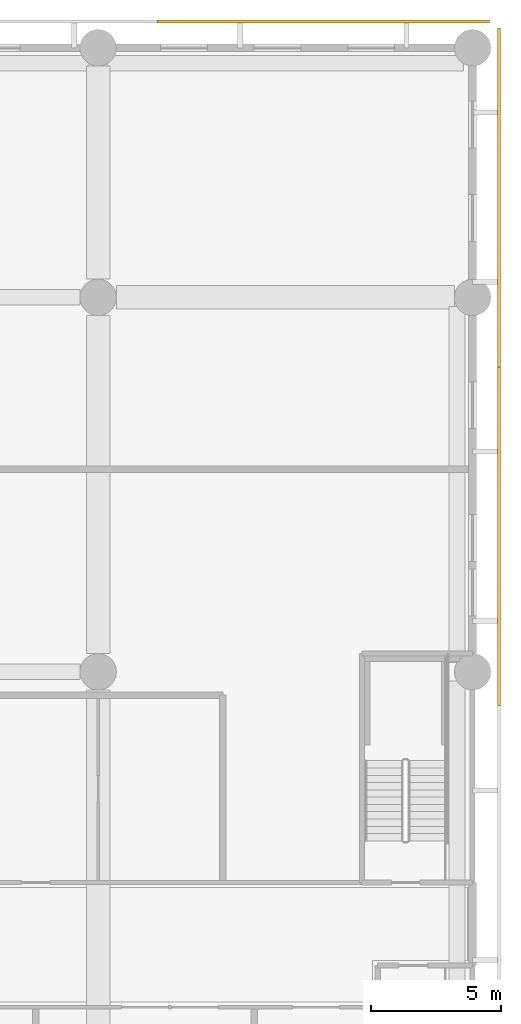
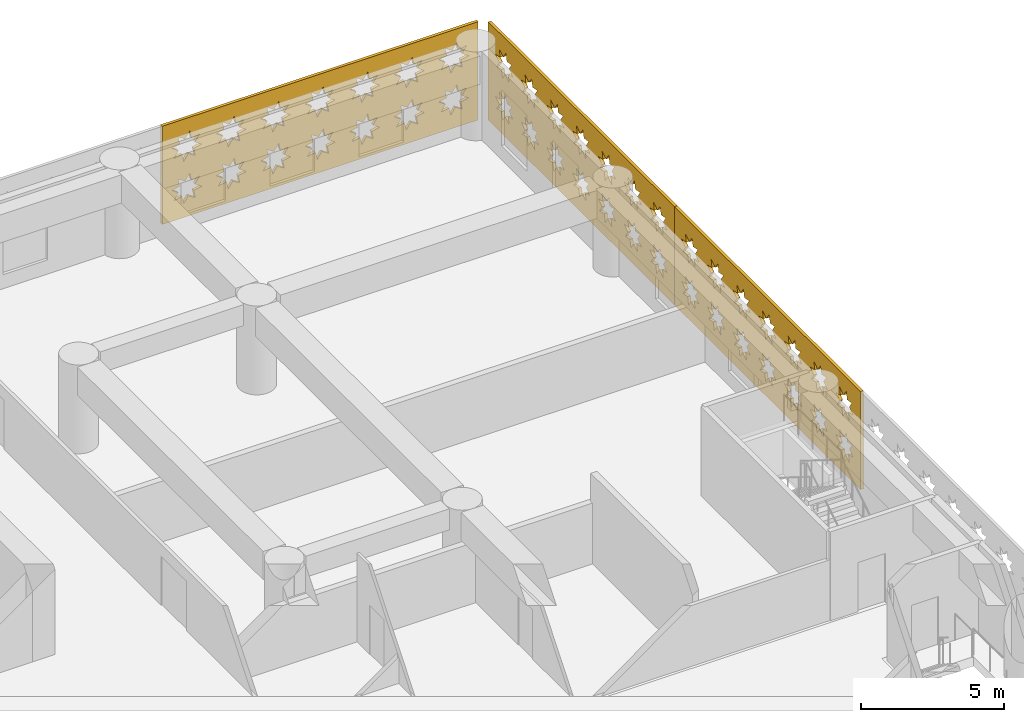
# One storey, part 24 of 24: 3 coverings.
"""IFC4 building model written with IfcOpenShell, lengths in metres."""

from ifc_helpers import new_model, si_unit, direction, frame, origin, place, context, subcontext, project, spatial, polyline, outline, extrude, material, layer, layer_set, type_object, element, save


model = new_model("IFC4")

# Units and contexts
model_context = context("Model", 3, precision=1e-05, world=origin(), true_north=direction((0.0, 1.0)))
body_context = subcontext(model_context, "Body", "Model", "MODEL_VIEW")
ifc_project = project(units=[si_unit("LENGTHUNIT", "METRE"), si_unit("AREAUNIT", "SQUARE_METRE"), si_unit("VOLUMEUNIT", "CUBIC_METRE"), si_unit("PLANEANGLEUNIT", "RADIAN"), si_unit("MASSUNIT", "GRAM", prefix="KILO")], contexts=[model_context])

# Site, building, storey
site_placement = place(None, origin())
site = spatial("IfcSite", under=ifc_project, at=site_placement, CompositionType="ELEMENT")
building_placement = place(site_placement, origin())
building = spatial("IfcBuilding", under=site, at=building_placement, Name="Saffron Iwan Residences", CompositionType="ELEMENT")
storey_placement = place(building_placement, frame((0.0, 0.0, 13.199951171875)))
storey = spatial("IfcBuildingStorey", under=building, at=storey_placement, Name="L02", CompositionType="ELEMENT", Elevation=13.199951171875)

# Coverings
ifc_material = material(Name="Terracotta screen, precast concrete C40/50", Category="masonry")
ifc_layer = layer(ifc_material, 0.1201171875)
ifc_layer_set = layer_set([ifc_layer], Name="Terracotta screen, precast concrete C40/50")
covering_type = type_object("IfcCoveringType", Name="PODIUM SCREEN GIRIH", PredefinedType="CLADDING", material=ifc_layer_set)
covering_1_placement = place(storey_placement, frame((101.75, 61.0966796875, -0.39990234375), z_axis=(1.0, 0.0, 0.0), x_axis=(0.0, 1.0, 0.0)))
element("IfcCovering", 1, at=covering_1_placement, inside=storey, type_object=covering_type, Name="SCREEN girih terracotta L02 F1.4", PredefinedType="CLADDING", context=body_context, shape_type="SweptSolid", body=[
    extrude(outline(polyline([(0.0, 0.0), (13.03662109375, 0.0), (13.03662109375, 4.199951171875), (0.0, 4.199951171875), (0.0, 0.0)]), holes=[polyline([(1.726318359375, 1.321044921875), (1.40087890625, 1.388916015625), (1.462890625, 1.715576171875), (1.184814453125, 1.533447265625), (0.997314453125, 1.80810546875), (0.929443359375, 1.482666015625), (0.602783203125, 1.54443359375), (0.784912109375, 1.266357421875), (0.51025390625, 1.0791015625), (0.835693359375, 1.010986328125), (0.77392578125, 0.6845703125), (1.052001953125, 0.866455078125), (1.2392578125, 0.591796875), (1.30712890625, 0.917236328125), (1.6337890625, 0.85546875), (1.451904296875, 1.1337890625), (1.726318359375, 1.321044921875)]), polyline([(1.726318359375, 3.12109375), (1.40087890625, 3.18896484375), (1.462890625, 3.515380859375), (1.184814453125, 3.33349609375), (0.997314453125, 3.608154296875), (0.929443359375, 3.28271484375), (0.602783203125, 3.344482421875), (0.784912109375, 3.06640625), (0.51025390625, 2.87890625), (0.835693359375, 2.81103515625), (0.77392578125, 2.484619140625), (1.052001953125, 2.66650390625), (1.2392578125, 2.391845703125), (1.30712890625, 2.71728515625), (1.6337890625, 2.655517578125), (1.451904296875, 2.93359375), (1.726318359375, 3.12109375)]), polyline([(3.5263671875, 1.321044921875), (3.200927734375, 1.388916015625), (3.2626953125, 1.715576171875), (2.984619140625, 1.533447265625), (2.79736328125, 1.80810546875), (2.7294921875, 1.482666015625), (2.40283203125, 1.54443359375), (2.5849609375, 1.266357421875), (2.310302734375, 1.0791015625), (2.635498046875, 1.010986328125), (2.573974609375, 0.6845703125), (2.85205078125, 0.866455078125), (3.039306640625, 0.591796875), (3.107177734375, 0.917236328125), (3.433837890625, 0.85546875), (3.251708984375, 1.1337890625), (3.5263671875, 1.321044921875)]), polyline([(3.5263671875, 3.12109375), (3.200927734375, 3.18896484375), (3.2626953125, 3.515380859375), (2.984619140625, 3.33349609375), (2.79736328125, 3.608154296875), (2.7294921875, 3.28271484375), (2.40283203125, 3.344482421875), (2.5849609375, 3.06640625), (2.310302734375, 2.87890625), (2.635498046875, 2.81103515625), (2.573974609375, 2.484619140625), (2.85205078125, 2.66650390625), (3.039306640625, 2.391845703125), (3.107177734375, 2.71728515625), (3.433837890625, 2.655517578125), (3.251708984375, 2.93359375), (3.5263671875, 3.12109375)]), polyline([(5.326416015625, 1.321044921875), (5.0009765625, 1.388916015625), (5.062744140625, 1.715576171875), (4.78466796875, 1.533447265625), (4.597412109375, 1.80810546875), (4.529296875, 1.482666015625), (4.202880859375, 1.54443359375), (4.385009765625, 1.266357421875), (4.110107421875, 1.0791015625), (4.435546875, 1.010986328125), (4.373779296875, 0.6845703125), (4.652099609375, 0.866455078125), (4.83935546875, 0.591796875), (4.9072265625, 0.917236328125), (5.23388671875, 0.85546875), (5.0517578125, 1.1337890625), (5.326416015625, 1.321044921875)]), polyline([(5.326416015625, 3.12109375), (5.0009765625, 3.18896484375), (5.062744140625, 3.515380859375), (4.78466796875, 3.33349609375), (4.597412109375, 3.608154296875), (4.529296875, 3.28271484375), (4.202880859375, 3.344482421875), (4.385009765625, 3.06640625), (4.110107421875, 2.87890625), (4.435546875, 2.81103515625), (4.373779296875, 2.484619140625), (4.652099609375, 2.66650390625), (4.83935546875, 2.391845703125), (4.9072265625, 2.71728515625), (5.23388671875, 2.655517578125), (5.0517578125, 2.93359375), (5.326416015625, 3.12109375)]), polyline([(7.12646484375, 1.321044921875), (6.801025390625, 1.388916015625), (6.86279296875, 1.715576171875), (6.584716796875, 1.533447265625), (6.3974609375, 1.80810546875), (6.329345703125, 1.482666015625), (6.002685546875, 1.54443359375), (6.184814453125, 1.266357421875), (5.91015625, 1.0791015625), (6.235595703125, 1.010986328125), (6.173828125, 0.6845703125), (6.451904296875, 0.866455078125), (6.639404296875, 0.591796875), (6.707275390625, 0.917236328125), (7.03369140625, 0.85546875), (6.851806640625, 1.1337890625), (7.12646484375, 1.321044921875)]), polyline([(7.12646484375, 3.12109375), (6.801025390625, 3.18896484375), (6.86279296875, 3.515380859375), (6.584716796875, 3.33349609375), (6.3974609375, 3.608154296875), (6.329345703125, 3.28271484375), (6.002685546875, 3.344482421875), (6.184814453125, 3.06640625), (5.91015625, 2.87890625), (6.235595703125, 2.81103515625), (6.173828125, 2.484619140625), (6.451904296875, 2.66650390625), (6.639404296875, 2.391845703125), (6.707275390625, 2.71728515625), (7.03369140625, 2.655517578125), (6.851806640625, 2.93359375), (7.12646484375, 3.12109375)]), polyline([(8.926513671875, 1.321044921875), (8.60107421875, 1.388916015625), (8.662841796875, 1.715576171875), (8.384765625, 1.533447265625), (8.197509765625, 1.80810546875), (8.12939453125, 1.482666015625), (7.802734375, 1.54443359375), (7.98486328125, 1.266357421875), (7.710205078125, 1.0791015625), (8.03564453125, 1.010986328125), (7.973876953125, 0.6845703125), (8.251953125, 0.866455078125), (8.439208984375, 0.591796875), (8.507080078125, 0.917236328125), (8.833740234375, 0.85546875), (8.65185546875, 1.1337890625), (8.926513671875, 1.321044921875)]), polyline([(8.926513671875, 3.12109375), (8.60107421875, 3.18896484375), (8.662841796875, 3.515380859375), (8.384765625, 3.33349609375), (8.197509765625, 3.608154296875), (8.12939453125, 3.28271484375), (7.802734375, 3.344482421875), (7.98486328125, 3.06640625), (7.710205078125, 2.87890625), (8.03564453125, 2.81103515625), (7.973876953125, 2.484619140625), (8.251953125, 2.66650390625), (8.439208984375, 2.391845703125), (8.507080078125, 2.71728515625), (8.833740234375, 2.655517578125), (8.65185546875, 2.93359375), (8.926513671875, 3.12109375)]), polyline([(10.726318359375, 1.321044921875), (10.40087890625, 1.388916015625), (10.462890625, 1.715576171875), (10.184814453125, 1.533447265625), (9.997314453125, 1.80810546875), (9.929443359375, 1.482666015625), (9.602783203125, 1.54443359375), (9.784912109375, 1.266357421875), (9.51025390625, 1.0791015625), (9.835693359375, 1.010986328125), (9.77392578125, 0.6845703125), (10.052001953125, 0.866455078125), (10.2392578125, 0.591796875), (10.30712890625, 0.917236328125), (10.6337890625, 0.85546875), (10.451904296875, 1.1337890625), (10.726318359375, 1.321044921875)]), polyline([(10.726318359375, 3.12109375), (10.40087890625, 3.18896484375), (10.462890625, 3.515380859375), (10.184814453125, 3.33349609375), (9.997314453125, 3.608154296875), (9.929443359375, 3.28271484375), (9.602783203125, 3.344482421875), (9.784912109375, 3.06640625), (9.51025390625, 2.87890625), (9.835693359375, 2.81103515625), (9.77392578125, 2.484619140625), (10.052001953125, 2.66650390625), (10.2392578125, 2.391845703125), (10.30712890625, 2.71728515625), (10.6337890625, 2.655517578125), (10.451904296875, 2.93359375), (10.726318359375, 3.12109375)]), polyline([(12.5263671875, 1.321044921875), (12.200927734375, 1.388916015625), (12.2626953125, 1.715576171875), (11.984619140625, 1.533447265625), (11.79736328125, 1.80810546875), (11.7294921875, 1.482666015625), (11.40283203125, 1.54443359375), (11.5849609375, 1.266357421875), (11.310302734375, 1.0791015625), (11.635498046875, 1.010986328125), (11.573974609375, 0.6845703125), (11.85205078125, 0.866455078125), (12.039306640625, 0.591796875), (12.107177734375, 0.917236328125), (12.433837890625, 0.85546875), (12.251708984375, 1.1337890625), (12.5263671875, 1.321044921875)]), polyline([(12.5263671875, 3.12109375), (12.200927734375, 3.18896484375), (12.2626953125, 3.515380859375), (11.984619140625, 3.33349609375), (11.79736328125, 3.608154296875), (11.7294921875, 3.28271484375), (11.40283203125, 3.344482421875), (11.5849609375, 3.06640625), (11.310302734375, 2.87890625), (11.635498046875, 2.81103515625), (11.573974609375, 2.484619140625), (11.85205078125, 2.66650390625), (12.039306640625, 2.391845703125), (12.107177734375, 2.71728515625), (12.433837890625, 2.655517578125), (12.251708984375, 2.93359375), (12.5263671875, 3.12109375)])]), origin(), (0.0, 0.0, 1.0), 0.1201171875),
])
covering_2_placement = place(storey_placement, frame((101.75, 74.13330078125, -0.39990234375), z_axis=(1.0, 0.0, 0.0), x_axis=(0.0, 1.0, 0.0)))
element("IfcCovering", 2, at=covering_2_placement, inside=storey, type_object=covering_type, Name="SCREEN girih terracotta L02 F1.5", PredefinedType="CLADDING", context=body_context, shape_type="SweptSolid", body=[
    extrude(outline(polyline([(0.0, 0.0), (13.03662109375, 0.0), (13.03662109375, 4.199951171875), (0.0, 4.199951171875), (0.0, 0.0)]), holes=[polyline([(1.726318359375, 1.321044921875), (1.40087890625, 1.388916015625), (1.462890625, 1.715576171875), (1.184814453125, 1.533447265625), (0.997314453125, 1.80810546875), (0.929443359375, 1.482666015625), (0.602783203125, 1.54443359375), (0.784912109375, 1.266357421875), (0.51025390625, 1.0791015625), (0.835693359375, 1.010986328125), (0.77392578125, 0.6845703125), (1.052001953125, 0.866455078125), (1.2392578125, 0.591796875), (1.30712890625, 0.917236328125), (1.6337890625, 0.85546875), (1.451904296875, 1.1337890625), (1.726318359375, 1.321044921875)]), polyline([(1.726318359375, 3.12109375), (1.40087890625, 3.18896484375), (1.462890625, 3.515380859375), (1.184814453125, 3.33349609375), (0.997314453125, 3.608154296875), (0.929443359375, 3.28271484375), (0.602783203125, 3.344482421875), (0.784912109375, 3.06640625), (0.51025390625, 2.87890625), (0.835693359375, 2.81103515625), (0.77392578125, 2.484619140625), (1.052001953125, 2.66650390625), (1.2392578125, 2.391845703125), (1.30712890625, 2.71728515625), (1.6337890625, 2.655517578125), (1.451904296875, 2.93359375), (1.726318359375, 3.12109375)]), polyline([(3.5263671875, 1.321044921875), (3.200927734375, 1.388916015625), (3.2626953125, 1.715576171875), (2.984619140625, 1.533447265625), (2.79736328125, 1.80810546875), (2.7294921875, 1.482666015625), (2.40283203125, 1.54443359375), (2.5849609375, 1.266357421875), (2.310302734375, 1.0791015625), (2.635498046875, 1.010986328125), (2.573974609375, 0.6845703125), (2.85205078125, 0.866455078125), (3.039306640625, 0.591796875), (3.107177734375, 0.917236328125), (3.433837890625, 0.85546875), (3.251708984375, 1.1337890625), (3.5263671875, 1.321044921875)]), polyline([(3.5263671875, 3.12109375), (3.200927734375, 3.18896484375), (3.2626953125, 3.515380859375), (2.984619140625, 3.33349609375), (2.79736328125, 3.608154296875), (2.7294921875, 3.28271484375), (2.40283203125, 3.344482421875), (2.5849609375, 3.06640625), (2.310302734375, 2.87890625), (2.635498046875, 2.81103515625), (2.573974609375, 2.484619140625), (2.85205078125, 2.66650390625), (3.039306640625, 2.391845703125), (3.107177734375, 2.71728515625), (3.433837890625, 2.655517578125), (3.251708984375, 2.93359375), (3.5263671875, 3.12109375)]), polyline([(5.326416015625, 1.321044921875), (5.0009765625, 1.388916015625), (5.062744140625, 1.715576171875), (4.78466796875, 1.533447265625), (4.597412109375, 1.80810546875), (4.529296875, 1.482666015625), (4.202880859375, 1.54443359375), (4.385009765625, 1.266357421875), (4.110107421875, 1.0791015625), (4.435546875, 1.010986328125), (4.373779296875, 0.6845703125), (4.652099609375, 0.866455078125), (4.83935546875, 0.591796875), (4.9072265625, 0.917236328125), (5.23388671875, 0.85546875), (5.0517578125, 1.1337890625), (5.326416015625, 1.321044921875)]), polyline([(5.326416015625, 3.12109375), (5.0009765625, 3.18896484375), (5.062744140625, 3.515380859375), (4.78466796875, 3.33349609375), (4.597412109375, 3.608154296875), (4.529296875, 3.28271484375), (4.202880859375, 3.344482421875), (4.385009765625, 3.06640625), (4.110107421875, 2.87890625), (4.435546875, 2.81103515625), (4.373779296875, 2.484619140625), (4.652099609375, 2.66650390625), (4.83935546875, 2.391845703125), (4.9072265625, 2.71728515625), (5.23388671875, 2.655517578125), (5.0517578125, 2.93359375), (5.326416015625, 3.12109375)]), polyline([(7.12646484375, 1.321044921875), (6.801025390625, 1.388916015625), (6.86279296875, 1.715576171875), (6.584716796875, 1.533447265625), (6.3974609375, 1.80810546875), (6.329345703125, 1.482666015625), (6.002685546875, 1.54443359375), (6.184814453125, 1.266357421875), (5.91015625, 1.0791015625), (6.235595703125, 1.010986328125), (6.173828125, 0.6845703125), (6.451904296875, 0.866455078125), (6.639404296875, 0.591796875), (6.707275390625, 0.917236328125), (7.03369140625, 0.85546875), (6.851806640625, 1.1337890625), (7.12646484375, 1.321044921875)]), polyline([(7.12646484375, 3.12109375), (6.801025390625, 3.18896484375), (6.86279296875, 3.515380859375), (6.584716796875, 3.33349609375), (6.3974609375, 3.608154296875), (6.329345703125, 3.28271484375), (6.002685546875, 3.344482421875), (6.184814453125, 3.06640625), (5.91015625, 2.87890625), (6.235595703125, 2.81103515625), (6.173828125, 2.484619140625), (6.451904296875, 2.66650390625), (6.639404296875, 2.391845703125), (6.707275390625, 2.71728515625), (7.03369140625, 2.655517578125), (6.851806640625, 2.93359375), (7.12646484375, 3.12109375)]), polyline([(8.926513671875, 1.321044921875), (8.60107421875, 1.388916015625), (8.662841796875, 1.715576171875), (8.384765625, 1.533447265625), (8.197509765625, 1.80810546875), (8.12939453125, 1.482666015625), (7.802734375, 1.54443359375), (7.98486328125, 1.266357421875), (7.710205078125, 1.0791015625), (8.03564453125, 1.010986328125), (7.973876953125, 0.6845703125), (8.251953125, 0.866455078125), (8.439208984375, 0.591796875), (8.507080078125, 0.917236328125), (8.833740234375, 0.85546875), (8.65185546875, 1.1337890625), (8.926513671875, 1.321044921875)]), polyline([(8.926513671875, 3.12109375), (8.60107421875, 3.18896484375), (8.662841796875, 3.515380859375), (8.384765625, 3.33349609375), (8.197509765625, 3.608154296875), (8.12939453125, 3.28271484375), (7.802734375, 3.344482421875), (7.98486328125, 3.06640625), (7.710205078125, 2.87890625), (8.03564453125, 2.81103515625), (7.973876953125, 2.484619140625), (8.251953125, 2.66650390625), (8.439208984375, 2.391845703125), (8.507080078125, 2.71728515625), (8.833740234375, 2.655517578125), (8.65185546875, 2.93359375), (8.926513671875, 3.12109375)]), polyline([(10.726318359375, 1.321044921875), (10.40087890625, 1.388916015625), (10.462890625, 1.715576171875), (10.184814453125, 1.533447265625), (9.997314453125, 1.80810546875), (9.929443359375, 1.482666015625), (9.602783203125, 1.54443359375), (9.784912109375, 1.266357421875), (9.51025390625, 1.0791015625), (9.835693359375, 1.010986328125), (9.77392578125, 0.6845703125), (10.052001953125, 0.866455078125), (10.2392578125, 0.591796875), (10.30712890625, 0.917236328125), (10.6337890625, 0.85546875), (10.451904296875, 1.1337890625), (10.726318359375, 1.321044921875)]), polyline([(10.726318359375, 3.12109375), (10.40087890625, 3.18896484375), (10.462890625, 3.515380859375), (10.184814453125, 3.33349609375), (9.997314453125, 3.608154296875), (9.929443359375, 3.28271484375), (9.602783203125, 3.344482421875), (9.784912109375, 3.06640625), (9.51025390625, 2.87890625), (9.835693359375, 2.81103515625), (9.77392578125, 2.484619140625), (10.052001953125, 2.66650390625), (10.2392578125, 2.391845703125), (10.30712890625, 2.71728515625), (10.6337890625, 2.655517578125), (10.451904296875, 2.93359375), (10.726318359375, 3.12109375)]), polyline([(12.5263671875, 1.321044921875), (12.200927734375, 1.388916015625), (12.2626953125, 1.715576171875), (11.984619140625, 1.533447265625), (11.79736328125, 1.80810546875), (11.7294921875, 1.482666015625), (11.40283203125, 1.54443359375), (11.5849609375, 1.266357421875), (11.310302734375, 1.0791015625), (11.635498046875, 1.010986328125), (11.573974609375, 0.6845703125), (11.85205078125, 0.866455078125), (12.039306640625, 0.591796875), (12.107177734375, 0.917236328125), (12.433837890625, 0.85546875), (12.251708984375, 1.1337890625), (12.5263671875, 1.321044921875)]), polyline([(12.5263671875, 3.12109375), (12.200927734375, 3.18896484375), (12.2626953125, 3.515380859375), (11.984619140625, 3.33349609375), (11.79736328125, 3.608154296875), (11.7294921875, 3.28271484375), (11.40283203125, 3.344482421875), (11.5849609375, 3.06640625), (11.310302734375, 2.87890625), (11.635498046875, 2.81103515625), (11.573974609375, 2.484619140625), (11.85205078125, 2.66650390625), (12.039306640625, 2.391845703125), (12.107177734375, 2.71728515625), (12.433837890625, 2.655517578125), (12.251708984375, 2.93359375), (12.5263671875, 3.12109375)])]), origin(), (0.0, 0.0, 1.0), 0.1201171875),
])
covering_3_placement = place(storey_placement, frame((101.449951171875, 87.35009765625, -0.39990234375), z_axis=(0.0, 1.0, 0.0), x_axis=(-1.0, 0.0, 0.0)))
element("IfcCovering", 3, at=covering_3_placement, inside=storey, type_object=covering_type, Name="SCREEN girih terracotta L02 F2.0", PredefinedType="CLADDING", context=body_context, shape_type="SweptSolid", body=[
    extrude(outline(polyline([(0.0, 0.0), (12.777587890625, 0.0), (12.777587890625, 4.199951171875), (0.0, 4.199951171875), (0.0, 0.0)]), holes=[polyline([(1.5966796875, 1.321044921875), (1.271484375, 1.388916015625), (1.333251953125, 1.715576171875), (1.05517578125, 1.533447265625), (0.867919921875, 1.80810546875), (0.7998046875, 1.482666015625), (0.47314453125, 1.54443359375), (0.6552734375, 1.266357421875), (0.380615234375, 1.0791015625), (0.7060546875, 1.010986328125), (0.644287109375, 0.6845703125), (0.92236328125, 0.866455078125), (1.109619140625, 0.591796875), (1.177490234375, 0.917236328125), (1.50439453125, 0.85546875), (1.322265625, 1.1337890625), (1.5966796875, 1.321044921875)]), polyline([(1.5966796875, 3.12109375), (1.271484375, 3.18896484375), (1.333251953125, 3.515380859375), (1.05517578125, 3.33349609375), (0.867919921875, 3.608154296875), (0.7998046875, 3.28271484375), (0.47314453125, 3.344482421875), (0.6552734375, 3.06640625), (0.380615234375, 2.87890625), (0.7060546875, 2.81103515625), (0.644287109375, 2.484619140625), (0.92236328125, 2.66650390625), (1.109619140625, 2.391845703125), (1.177490234375, 2.71728515625), (1.50439453125, 2.655517578125), (1.322265625, 2.93359375), (1.5966796875, 3.12109375)]), polyline([(3.396728515625, 1.321044921875), (3.0712890625, 1.388916015625), (3.13330078125, 1.715576171875), (2.85498046875, 1.533447265625), (2.667724609375, 1.80810546875), (2.599853515625, 1.482666015625), (2.273193359375, 1.54443359375), (2.455322265625, 1.266357421875), (2.1806640625, 1.0791015625), (2.506103515625, 1.010986328125), (2.4443359375, 0.6845703125), (2.722412109375, 0.866455078125), (2.90966796875, 0.591796875), (2.9775390625, 0.917236328125), (3.30419921875, 0.85546875), (3.122314453125, 1.1337890625), (3.396728515625, 1.321044921875)]), polyline([(3.396728515625, 3.12109375), (3.0712890625, 3.18896484375), (3.13330078125, 3.515380859375), (2.85498046875, 3.33349609375), (2.667724609375, 3.608154296875), (2.599853515625, 3.28271484375), (2.273193359375, 3.344482421875), (2.455322265625, 3.06640625), (2.1806640625, 2.87890625), (2.506103515625, 2.81103515625), (2.4443359375, 2.484619140625), (2.722412109375, 2.66650390625), (2.90966796875, 2.391845703125), (2.9775390625, 2.71728515625), (3.30419921875, 2.655517578125), (3.122314453125, 2.93359375), (3.396728515625, 3.12109375)]), polyline([(5.19677734375, 1.321044921875), (4.871337890625, 1.388916015625), (4.93310546875, 1.715576171875), (4.655029296875, 1.533447265625), (4.4677734375, 1.80810546875), (4.39990234375, 1.482666015625), (4.0732421875, 1.54443359375), (4.25537109375, 1.266357421875), (3.980712890625, 1.0791015625), (4.30615234375, 1.010986328125), (4.244384765625, 0.6845703125), (4.5224609375, 0.866455078125), (4.709716796875, 0.591796875), (4.777587890625, 0.917236328125), (5.104248046875, 0.85546875), (4.922119140625, 1.1337890625), (5.19677734375, 1.321044921875)]), polyline([(5.19677734375, 3.12109375), (4.871337890625, 3.18896484375), (4.93310546875, 3.515380859375), (4.655029296875, 3.33349609375), (4.4677734375, 3.608154296875), (4.39990234375, 3.28271484375), (4.0732421875, 3.344482421875), (4.25537109375, 3.06640625), (3.980712890625, 2.87890625), (4.30615234375, 2.81103515625), (4.244384765625, 2.484619140625), (4.5224609375, 2.66650390625), (4.709716796875, 2.391845703125), (4.777587890625, 2.71728515625), (5.104248046875, 2.655517578125), (4.922119140625, 2.93359375), (5.19677734375, 3.12109375)]), polyline([(6.996826171875, 1.321044921875), (6.67138671875, 1.388916015625), (6.733154296875, 1.715576171875), (6.455078125, 1.533447265625), (6.267822265625, 1.80810546875), (6.199951171875, 1.482666015625), (5.873291015625, 1.54443359375), (6.055419921875, 1.266357421875), (5.78076171875, 1.0791015625), (6.106201171875, 1.010986328125), (6.044189453125, 0.6845703125), (6.322509765625, 0.866455078125), (6.509765625, 0.591796875), (6.57763671875, 0.917236328125), (6.904296875, 0.85546875), (6.72216796875, 1.1337890625), (6.996826171875, 1.321044921875)]), polyline([(6.996826171875, 3.12109375), (6.67138671875, 3.18896484375), (6.733154296875, 3.515380859375), (6.455078125, 3.33349609375), (6.267822265625, 3.608154296875), (6.199951171875, 3.28271484375), (5.873291015625, 3.344482421875), (6.055419921875, 3.06640625), (5.78076171875, 2.87890625), (6.106201171875, 2.81103515625), (6.044189453125, 2.484619140625), (6.322509765625, 2.66650390625), (6.509765625, 2.391845703125), (6.57763671875, 2.71728515625), (6.904296875, 2.655517578125), (6.72216796875, 2.93359375), (6.996826171875, 3.12109375)]), polyline([(8.796875, 1.321044921875), (8.471435546875, 1.388916015625), (8.533203125, 1.715576171875), (8.255126953125, 1.533447265625), (8.06787109375, 1.80810546875), (8.0, 1.482666015625), (7.673095703125, 1.54443359375), (7.855224609375, 1.266357421875), (7.580810546875, 1.0791015625), (7.906005859375, 1.010986328125), (7.84423828125, 0.6845703125), (8.122314453125, 0.866455078125), (8.309814453125, 0.591796875), (8.377685546875, 0.917236328125), (8.704345703125, 0.85546875), (8.522216796875, 1.1337890625), (8.796875, 1.321044921875)]), polyline([(8.796875, 3.12109375), (8.471435546875, 3.18896484375), (8.533203125, 3.515380859375), (8.255126953125, 3.33349609375), (8.06787109375, 3.608154296875), (8.0, 3.28271484375), (7.673095703125, 3.344482421875), (7.855224609375, 3.06640625), (7.580810546875, 2.87890625), (7.906005859375, 2.81103515625), (7.84423828125, 2.484619140625), (8.122314453125, 2.66650390625), (8.309814453125, 2.391845703125), (8.377685546875, 2.71728515625), (8.704345703125, 2.655517578125), (8.522216796875, 2.93359375), (8.796875, 3.12109375)]), polyline([(10.5966796875, 1.321044921875), (10.271484375, 1.388916015625), (10.333251953125, 1.715576171875), (10.05517578125, 1.533447265625), (9.867919921875, 1.80810546875), (9.7998046875, 1.482666015625), (9.47314453125, 1.54443359375), (9.6552734375, 1.266357421875), (9.380615234375, 1.0791015625), (9.7060546875, 1.010986328125), (9.644287109375, 0.6845703125), (9.92236328125, 0.866455078125), (10.109619140625, 0.591796875), (10.177490234375, 0.917236328125), (10.50439453125, 0.85546875), (10.322265625, 1.1337890625), (10.5966796875, 1.321044921875)]), polyline([(10.5966796875, 3.12109375), (10.271484375, 3.18896484375), (10.333251953125, 3.515380859375), (10.05517578125, 3.33349609375), (9.867919921875, 3.608154296875), (9.7998046875, 3.28271484375), (9.47314453125, 3.344482421875), (9.6552734375, 3.06640625), (9.380615234375, 2.87890625), (9.7060546875, 2.81103515625), (9.644287109375, 2.484619140625), (9.92236328125, 2.66650390625), (10.109619140625, 2.391845703125), (10.177490234375, 2.71728515625), (10.50439453125, 2.655517578125), (10.322265625, 2.93359375), (10.5966796875, 3.12109375)]), polyline([(12.396728515625, 1.321044921875), (12.0712890625, 1.388916015625), (12.13330078125, 1.715576171875), (11.85498046875, 1.533447265625), (11.667724609375, 1.80810546875), (11.599853515625, 1.482666015625), (11.273193359375, 1.54443359375), (11.455322265625, 1.266357421875), (11.1806640625, 1.0791015625), (11.506103515625, 1.010986328125), (11.4443359375, 0.6845703125), (11.722412109375, 0.866455078125), (11.90966796875, 0.591796875), (11.9775390625, 0.917236328125), (12.30419921875, 0.85546875), (12.122314453125, 1.1337890625), (12.396728515625, 1.321044921875)]), polyline([(12.396728515625, 3.12109375), (12.0712890625, 3.18896484375), (12.13330078125, 3.515380859375), (11.85498046875, 3.33349609375), (11.667724609375, 3.608154296875), (11.599853515625, 3.28271484375), (11.273193359375, 3.344482421875), (11.455322265625, 3.06640625), (11.1806640625, 2.87890625), (11.506103515625, 2.81103515625), (11.4443359375, 2.484619140625), (11.722412109375, 2.66650390625), (11.90966796875, 2.391845703125), (11.9775390625, 2.71728515625), (12.30419921875, 2.655517578125), (12.122314453125, 2.93359375), (12.396728515625, 3.12109375)])]), origin(), (0.0, 0.0, 1.0), 0.119873046875),
])

save(model, "model.ifc")
